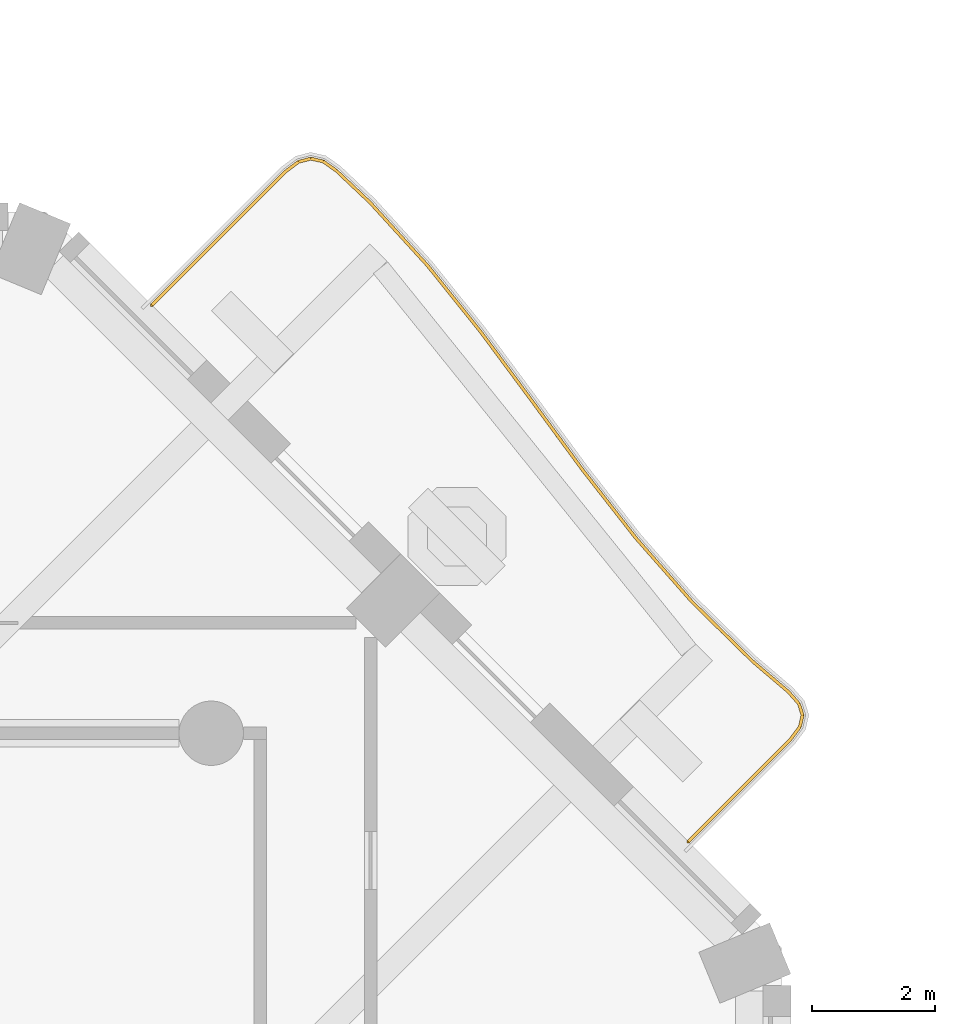
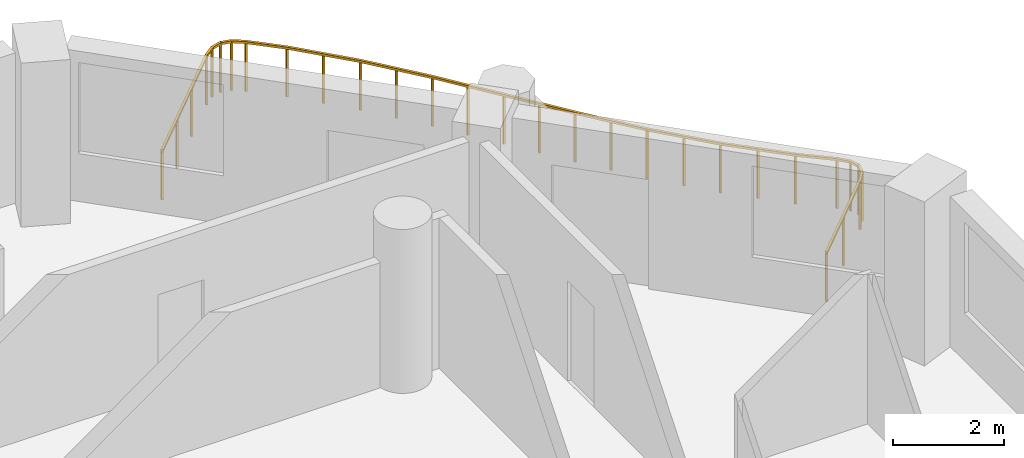
# One storey, part 20 of 21: 1 railing.
"""IFC4 building model written with IfcOpenShell, lengths in metres."""

from ifc_helpers import new_model, si_unit, direction, frame, origin, origin_2d, place, context, subcontext, project, spatial, rectangle, extrude, material, type_object, element, save


model = new_model("IFC4")

# Units and contexts
model_context = context("Model", 3, precision=1e-05, world=origin(), true_north=direction((0.0, 1.0)))
body_context = subcontext(model_context, "Body", "Model", "MODEL_VIEW")
ifc_project = project(units=[si_unit("LENGTHUNIT", "METRE"), si_unit("AREAUNIT", "SQUARE_METRE"), si_unit("VOLUMEUNIT", "CUBIC_METRE"), si_unit("PLANEANGLEUNIT", "RADIAN"), si_unit("MASSUNIT", "GRAM", prefix="KILO")], contexts=[model_context])

# Site, building, storey
site_placement = place(None, origin())
site = spatial("IfcSite", under=ifc_project, at=site_placement, CompositionType="ELEMENT")
building_placement = place(site_placement, origin())
building = spatial("IfcBuilding", under=site, at=building_placement, Name="Cypress Arch Tower", CompositionType="ELEMENT")
storey_placement = place(building_placement, frame((0.0, 0.0, 127.5)))
storey = spatial("IfcBuildingStorey", under=building, at=storey_placement, Name="L27", CompositionType="ELEMENT", Elevation=127.5)

# Railing
ifc_material = material(Name="Powder-coated steel posts and rods, 100 mm clear between rods", Category="steel")
railing_type = type_object("IfcRailingType", Name="Balcony guard GR1100", PredefinedType="GUARDRAIL", material=ifc_material)
railing_placement = place(storey_placement, frame((14.33251953125, 24.479736328125, 0.0)))
element("IfcRailing", 1, at=railing_placement, inside=storey, type_object=railing_type, Name="Balcony guard L27-A07", PredefinedType="GUARDRAIL", context=body_context, shape_type="SweptSolid", body=[
    extrude(rectangle(XDim=0.050048828125, YDim=0.050048828125, at=origin_2d()), frame((0.0, 0.0, 1.0751953125), z_axis=(0.707067177346, 0.70714638281, 0.0), x_axis=(-0.70714638281, 0.707067177346, 0.0)), (0.0, 0.0, 1.0), 3.082275390625),
    extrude(rectangle(XDim=0.050048828125, YDim=0.050048828125, at=origin_2d()), frame((2.179443359375, 2.1796875, 1.0751953125), z_axis=(0.800111241576, 0.599851649246, 0.0), x_axis=(-0.599851649246, 0.800111241576, 0.0)), (0.0, 0.0, 1.0), 0.263427734375),
    extrude(rectangle(XDim=0.050048828125, YDim=0.050048828125, at=origin_2d()), frame((2.39013671875, 2.337646484375, 1.0751953125), z_axis=(0.968249837593, 0.249984503524, 0.0), x_axis=(-0.249984503524, 0.968249837593, 0.0)), (0.0, 0.0, 1.0), 0.2080078125),
    extrude(rectangle(XDim=0.050048828125, YDim=0.050048828125, at=origin_2d()), frame((2.591552734375, 2.3896484375, 1.0751953125), z_axis=(0.975098264252, -0.221773251436, 0.0), x_axis=(0.221773251436, 0.975098264252, 0.0)), (0.0, 0.0, 1.0), 0.2080078125),
    extrude(rectangle(XDim=0.050048828125, YDim=0.050048828125, at=origin_2d()), frame((2.79443359375, 2.343505859375, 1.0751953125), z_axis=(0.816479574642, -0.577374318958, 0.0), x_axis=(0.577374318958, 0.816479574642, 0.0)), (0.0, 0.0, 1.0), 0.263427734375),
    extrude(rectangle(XDim=0.050048828125, YDim=0.050048828125, at=origin_2d()), frame((3.009521484375, 2.19140625, 1.0751953125), z_axis=(0.726977373615, -0.686661414564, 0.0), x_axis=(0.686661414564, 0.726977373615, 0.0)), (0.0, 0.0, 1.0), 0.757080078125),
    extrude(rectangle(XDim=0.050048828125, YDim=0.050048828125, at=origin_2d()), frame((3.559814453125, 1.671630859375, 1.0751953125), z_axis=(0.67389271157, -0.738829217948, 0.0), x_axis=(0.738829217948, 0.67389271157, 0.0)), (0.0, 0.0, 1.0), 1.383544921875),
    extrude(rectangle(XDim=0.050048828125, YDim=0.050048828125, at=origin_2d()), frame((4.4921875, 0.6494140625, 1.0751953125), z_axis=(0.625871214065, -0.779926421789, 0.0), x_axis=(0.779926421789, 0.625871214065, 0.0)), (0.0, 0.0, 1.0), 1.391357421875),
    extrude(rectangle(XDim=0.050048828125, YDim=0.050048828125, at=origin_2d()), frame((5.363037109375, -0.435791015625, 1.0751953125), z_axis=(0.595469455911, -0.803377947841, 0.0), x_axis=(0.803377947841, 0.595469455911, 0.0)), (0.0, 0.0, 1.0), 1.399658203125),
    extrude(rectangle(XDim=0.050048828125, YDim=0.050048828125, at=origin_2d()), frame((6.196533203125, -1.560302734375, 1.0751953125), z_axis=(0.592087970989, -0.80587333658, 0.0), x_axis=(0.80587333658, 0.592087970989, 0.0)), (0.0, 0.0, 1.0), 1.40234375),
    extrude(rectangle(XDim=0.050048828125, YDim=0.050048828125, at=origin_2d()), frame((7.02685546875, -2.6904296875, 1.0751953125), z_axis=(0.615860882157, -0.787854919277, 0.0), x_axis=(0.787854919277, 0.615860882157, 0.0)), (0.0, 0.0, 1.0), 1.398193359375),
    extrude(rectangle(XDim=0.050048828125, YDim=0.050048828125, at=origin_2d()), frame((7.887939453125, -3.7919921875, 1.0751953125), z_axis=(0.66048947049, -0.750835307755, 0.0), x_axis=(0.750835307755, 0.66048947049, 0.0)), (0.0, 0.0, 1.0), 1.3916015625),
    extrude(rectangle(XDim=0.050048828125, YDim=0.050048828125, at=origin_2d()), frame((8.80712890625, -4.8369140625, 1.0751953125), z_axis=(0.713578344475, -0.700575439404, 0.0), x_axis=(0.700575439404, 0.713578344475, 0.0)), (0.0, 0.0, 1.0), 1.389404296875),
    extrude(rectangle(XDim=0.050048828125, YDim=0.050048828125, at=origin_2d()), frame((9.798583984375, -5.810302734375, 1.0751953125), z_axis=(0.761646965825, -0.647992206318, 0.0), x_axis=(0.647992206318, 0.761646965825, 0.0)), (0.0, 0.0, 1.0), 0.762451171875),
    extrude(rectangle(XDim=0.050048828125, YDim=0.050048828125, at=origin_2d()), frame((10.37939453125, -6.304443359375, 1.0751953125), z_axis=(0.660967430198, -0.750414589555, 0.0), x_axis=(0.750414589555, 0.660967430198, 0.0)), (0.0, 0.0, 1.0), 0.25927734375),
    extrude(rectangle(XDim=0.050048828125, YDim=0.050048828125, at=origin_2d()), frame((10.55078125, -6.4990234375, 1.0751953125), z_axis=(0.300832649173, -0.953676945926, 0.0), x_axis=(0.953676945926, 0.300832649173, 0.0)), (0.0, 0.0, 1.0), 0.195556640625),
    extrude(rectangle(XDim=0.050048828125, YDim=0.050048828125, at=origin_2d()), frame((10.609619140625, -6.685546875, 1.0751953125), z_axis=(-0.222214602787, -0.974997779643, 0.0), x_axis=(0.974997779643, -0.222214602787, 0.0)), (0.0, 0.0, 1.0), 0.195556640625),
    extrude(rectangle(XDim=0.050048828125, YDim=0.050048828125, at=origin_2d()), frame((10.566162109375, -6.876220703125, 1.0751953125), z_axis=(-0.599095321855, -0.800677710026, 0.0), x_axis=(0.800677710026, -0.599095321855, 0.0)), (0.0, 0.0, 1.0), 0.25927734375),
    extrude(rectangle(XDim=0.050048828125, YDim=0.050048828125, at=origin_2d()), frame((10.410888671875, -7.083740234375, 1.0751953125), z_axis=(-0.707106781187, -0.707106781187, 0.0), x_axis=(0.707106781187, -0.707106781187, 0.0)), (0.0, 0.0, 1.0), 2.3525390625),
    extrude(rectangle(XDim=0.0400390625, YDim=0.0400390625, at=origin_2d()), origin(), (0.0, 0.0, 1.0), 1.050048828125),
    extrude(rectangle(XDim=0.0400390625, YDim=0.0400390625, at=origin_2d()), frame((0.7265625, 0.7265625, 0.0)), (0.0, 0.0, 1.0), 1.050048828125),
    extrude(rectangle(XDim=0.0400390625, YDim=0.0400390625, at=origin_2d()), frame((1.452880859375, 1.453125, 0.0)), (0.0, 0.0, 1.0), 1.050048828125),
    extrude(rectangle(XDim=0.0400390625, YDim=0.0400390625, at=origin_2d()), frame((2.179443359375, 2.1796875, 0.0)), (0.0, 0.0, 1.0), 1.050048828125),
    extrude(rectangle(XDim=0.0400390625, YDim=0.0400390625, at=origin_2d()), frame((2.39013671875, 2.337646484375, 0.0)), (0.0, 0.0, 1.0), 1.050048828125),
    extrude(rectangle(XDim=0.0400390625, YDim=0.0400390625, at=origin_2d()), frame((2.591552734375, 2.3896484375, 0.0)), (0.0, 0.0, 1.0), 1.050048828125),
    extrude(rectangle(XDim=0.0400390625, YDim=0.0400390625, at=origin_2d()), frame((2.79443359375, 2.343505859375, 0.0)), (0.0, 0.0, 1.0), 1.050048828125),
    extrude(rectangle(XDim=0.0400390625, YDim=0.0400390625, at=origin_2d()), frame((3.009521484375, 2.19140625, 0.0)), (0.0, 0.0, 1.0), 1.050048828125),
    extrude(rectangle(XDim=0.0400390625, YDim=0.0400390625, at=origin_2d()), frame((3.559814453125, 1.671630859375, 0.0)), (0.0, 0.0, 1.0), 1.050048828125),
    extrude(rectangle(XDim=0.0400390625, YDim=0.0400390625, at=origin_2d()), frame((4.02587890625, 1.16064453125, 0.0)), (0.0, 0.0, 1.0), 1.050048828125),
    extrude(rectangle(XDim=0.0400390625, YDim=0.0400390625, at=origin_2d()), frame((4.4921875, 0.6494140625, 0.0)), (0.0, 0.0, 1.0), 1.050048828125),
    extrude(rectangle(XDim=0.0400390625, YDim=0.0400390625, at=origin_2d()), frame((4.927734375, 0.10693359375, 0.0)), (0.0, 0.0, 1.0), 1.050048828125),
    extrude(rectangle(XDim=0.0400390625, YDim=0.0400390625, at=origin_2d()), frame((5.363037109375, -0.435791015625, 0.0)), (0.0, 0.0, 1.0), 1.050048828125),
    extrude(rectangle(XDim=0.0400390625, YDim=0.0400390625, at=origin_2d()), frame((5.77978515625, -0.998046875, 0.0)), (0.0, 0.0, 1.0), 1.050048828125),
    extrude(rectangle(XDim=0.0400390625, YDim=0.0400390625, at=origin_2d()), frame((6.196533203125, -1.560302734375, 0.0)), (0.0, 0.0, 1.0), 1.050048828125),
    extrude(rectangle(XDim=0.0400390625, YDim=0.0400390625, at=origin_2d()), frame((6.61181640625, -2.12548828125, 0.0)), (0.0, 0.0, 1.0), 1.050048828125),
    extrude(rectangle(XDim=0.0400390625, YDim=0.0400390625, at=origin_2d()), frame((7.02685546875, -2.6904296875, 0.0)), (0.0, 0.0, 1.0), 1.050048828125),
    extrude(rectangle(XDim=0.0400390625, YDim=0.0400390625, at=origin_2d()), frame((7.45751953125, -3.2412109375, 0.0)), (0.0, 0.0, 1.0), 1.050048828125),
    extrude(rectangle(XDim=0.0400390625, YDim=0.0400390625, at=origin_2d()), frame((7.887939453125, -3.7919921875, 0.0)), (0.0, 0.0, 1.0), 1.050048828125),
    extrude(rectangle(XDim=0.0400390625, YDim=0.0400390625, at=origin_2d()), frame((8.34765625, -4.314453125, 0.0)), (0.0, 0.0, 1.0), 1.050048828125),
    extrude(rectangle(XDim=0.0400390625, YDim=0.0400390625, at=origin_2d()), frame((8.80712890625, -4.8369140625, 0.0)), (0.0, 0.0, 1.0), 1.050048828125),
    extrude(rectangle(XDim=0.0400390625, YDim=0.0400390625, at=origin_2d()), frame((9.302734375, -5.32373046875, 0.0)), (0.0, 0.0, 1.0), 1.050048828125),
    extrude(rectangle(XDim=0.0400390625, YDim=0.0400390625, at=origin_2d()), frame((9.798583984375, -5.810302734375, 0.0)), (0.0, 0.0, 1.0), 1.050048828125),
    extrude(rectangle(XDim=0.0400390625, YDim=0.0400390625, at=origin_2d()), frame((10.37939453125, -6.304443359375, 0.0)), (0.0, 0.0, 1.0), 1.050048828125),
    extrude(rectangle(XDim=0.0400390625, YDim=0.0400390625, at=origin_2d()), frame((10.55078125, -6.4990234375, 0.0)), (0.0, 0.0, 1.0), 1.050048828125),
    extrude(rectangle(XDim=0.0400390625, YDim=0.0400390625, at=origin_2d()), frame((10.609619140625, -6.685546875, 0.0)), (0.0, 0.0, 1.0), 1.050048828125),
    extrude(rectangle(XDim=0.0400390625, YDim=0.0400390625, at=origin_2d()), frame((10.566162109375, -6.876220703125, 0.0)), (0.0, 0.0, 1.0), 1.050048828125),
    extrude(rectangle(XDim=0.0400390625, YDim=0.0400390625, at=origin_2d()), frame((10.410888671875, -7.083740234375, 0.0)), (0.0, 0.0, 1.0), 1.050048828125),
    extrude(rectangle(XDim=0.0400390625, YDim=0.0400390625, at=origin_2d()), frame((9.5791015625, -7.91552734375, 0.0)), (0.0, 0.0, 1.0), 1.050048828125),
    extrude(rectangle(XDim=0.0400390625, YDim=0.0400390625, at=origin_2d()), frame((8.747314453125, -8.747314453125, 0.0)), (0.0, 0.0, 1.0), 1.050048828125),
])

save(model, "model.ifc")
